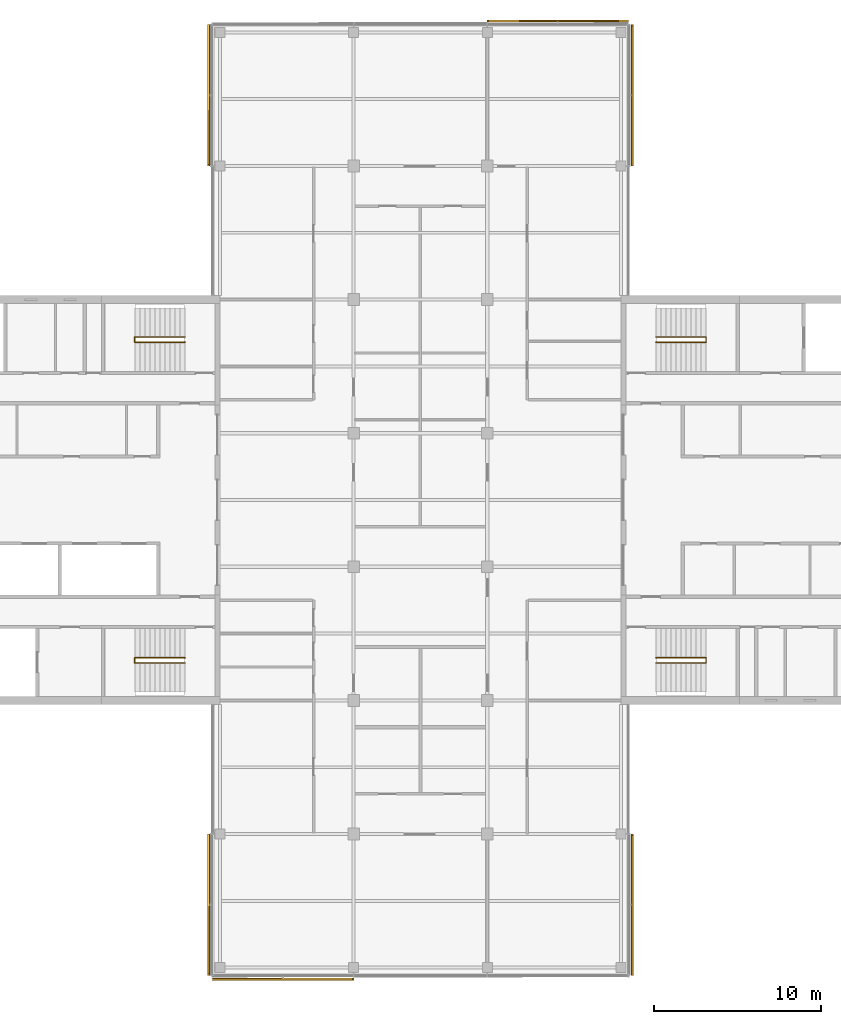
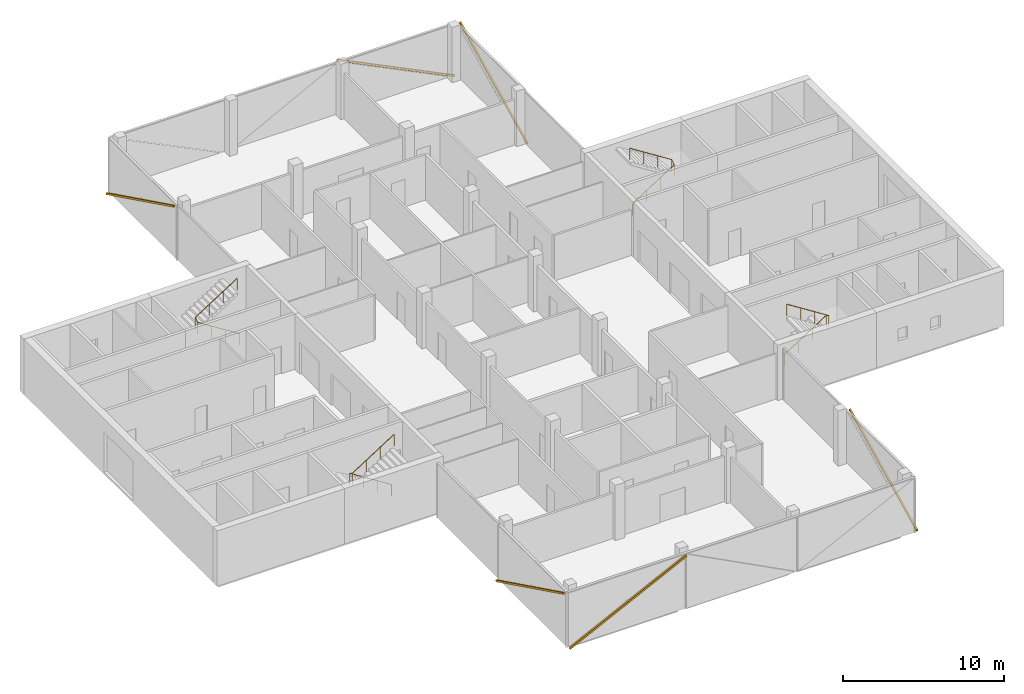
# One storey, part 16 of 16: 6 shading devices, 4 railings, 6 elements without a shape of their own.
"""IFC4 building model written with IfcOpenShell, lengths in metres."""

from ifc_helpers import new_model, si_unit, direction, frame, origin, origin_2d, place, context, subcontext, project, spatial, rectangle, circle, extrude, material, material_profile, profile_set, type_object, element, aggregate, save


model = new_model("IFC4")

# Units and contexts
model_context = context("Model", 3, precision=1e-05, world=origin(), true_north=direction((0.0, 1.0)))
body_context = subcontext(model_context, "Body", "Model", "MODEL_VIEW")
ifc_project = project(units=[si_unit("LENGTHUNIT", "METRE"), si_unit("AREAUNIT", "SQUARE_METRE"), si_unit("VOLUMEUNIT", "CUBIC_METRE"), si_unit("PLANEANGLEUNIT", "RADIAN"), si_unit("MASSUNIT", "GRAM", prefix="KILO")], contexts=[model_context])

# Site, building, storey
site_placement = place(None, origin())
site = spatial("IfcSite", under=ifc_project, at=site_placement, CompositionType="ELEMENT")
building_placement = place(site_placement, origin())
building = spatial("IfcBuilding", under=site, at=building_placement, Name="Crosswind Convention Tower", CompositionType="ELEMENT")
storey_placement = place(building_placement, frame((0.0, 0.0, 270.300048828125)))
storey = spatial("IfcBuildingStorey", under=building, at=storey_placement, Name="L58", CompositionType="ELEMENT", Elevation=270.300048828125)

# Railings
ifc_material_1 = material(Name="Stainless steel", Category="steel")
railing_type = type_object("IfcRailingType", Name="Stair handrail 900", PredefinedType="HANDRAIL", material=ifc_material_1)
railing_1_placement = place(storey_placement, frame((139.10009765625, 109.43994140625, 0.19091796875)))
element("IfcRailing", 1, at=railing_1_placement, inside=storey, type_object=railing_type, Name="Stair ST1 handrail L58", PredefinedType="HANDRAIL", context=body_context, shape_type="SweptSolid", body=[
    extrude(circle(Radius=0.02392578125, at=origin_2d()), frame((0.0, 0.0, 0.8759765625), z_axis=(0.843681277094, 0.0, 0.536844393359), x_axis=(0.0, 1.0, 0.0)), (0.0, 0.0, 1.0), 3.555908203125),
    extrude(circle(Radius=0.02392578125, at=origin_2d()), frame((3.0, 0.0, 2.78466796875), z_axis=(0.0, 0.858819504967, 0.512278301208), x_axis=(-1.0, 0.0, 0.0)), (0.0, 0.0, 1.0), 0.372802734375),
    extrude(circle(Radius=0.02392578125, at=origin_2d()), frame((3.0, 0.320068359375, 2.9755859375), z_axis=(-0.843650179428, 0.0, 0.536893261973), x_axis=(0.0, -1.0, 0.0)), (0.0, 0.0, 1.0), 3.555908203125),
    extrude(circle(Radius=0.02099609375, at=origin_2d()), origin(), (0.0, 0.0, 1.0), 0.851806640625),
    extrude(circle(Radius=0.02099609375, at=origin_2d()), frame((1.0, 0.0, 0.63623046875)), (0.0, 0.0, 1.0), 0.851806640625),
    extrude(circle(Radius=0.02099609375, at=origin_2d()), frame((2.0, 0.0, 1.272705078125)), (0.0, 0.0, 1.0), 0.851806640625),
    extrude(circle(Radius=0.02099609375, at=origin_2d()), frame((3.0, 0.0, 1.908935546875)), (0.0, 0.0, 1.0), 0.851806640625),
    extrude(circle(Radius=0.02099609375, at=origin_2d()), frame((3.0, 0.320068359375, 2.099853515625)), (0.0, 0.0, 1.0), 0.851806640625),
    extrude(circle(Radius=0.02099609375, at=origin_2d()), frame((2.0, 0.320068359375, 2.736328125)), (0.0, 0.0, 1.0), 0.851806640625),
    extrude(circle(Radius=0.02099609375, at=origin_2d()), frame((1.0, 0.320068359375, 3.37255859375)), (0.0, 0.0, 1.0), 0.851806640625),
    extrude(circle(Radius=0.02099609375, at=origin_2d()), frame((0.0, 0.320068359375, 4.009033203125)), (0.0, 0.0, 1.0), 0.851806640625),
])
railing_2_placement = place(storey_placement, frame((139.10009765625, 90.56005859375, 0.19091796875)))
element("IfcRailing", 2, at=railing_2_placement, inside=storey, type_object=railing_type, Name="Stair ST2 handrail L58", PredefinedType="HANDRAIL", context=body_context, shape_type="SweptSolid", body=[
    extrude(circle(Radius=0.02392578125, at=origin_2d()), frame((0.0, 0.0, 0.8759765625), z_axis=(0.843681277094, 0.0, 0.536844393359), x_axis=(0.0, 1.0, 0.0)), (0.0, 0.0, 1.0), 3.555908203125),
    extrude(circle(Radius=0.02392578125, at=origin_2d()), frame((3.0, 0.0, 2.78466796875), z_axis=(0.0, -0.858819504967, 0.512278301208), x_axis=(1.0, 0.0, 0.0)), (0.0, 0.0, 1.0), 0.372802734375),
    extrude(circle(Radius=0.02392578125, at=origin_2d()), frame((3.0, -0.320068359375, 2.9755859375), z_axis=(-0.843650179428, 0.0, 0.536893261973), x_axis=(0.0, -1.0, 0.0)), (0.0, 0.0, 1.0), 3.555908203125),
    extrude(circle(Radius=0.02099609375, at=origin_2d()), origin(), (0.0, 0.0, 1.0), 0.851806640625),
    extrude(circle(Radius=0.02099609375, at=origin_2d()), frame((1.0, 0.0, 0.63623046875)), (0.0, 0.0, 1.0), 0.851806640625),
    extrude(circle(Radius=0.02099609375, at=origin_2d()), frame((2.0, 0.0, 1.272705078125)), (0.0, 0.0, 1.0), 0.851806640625),
    extrude(circle(Radius=0.02099609375, at=origin_2d()), frame((3.0, 0.0, 1.908935546875)), (0.0, 0.0, 1.0), 0.851806640625),
    extrude(circle(Radius=0.02099609375, at=origin_2d()), frame((3.0, -0.320068359375, 2.099853515625)), (0.0, 0.0, 1.0), 0.851806640625),
    extrude(circle(Radius=0.02099609375, at=origin_2d()), frame((2.0, -0.320068359375, 2.736328125)), (0.0, 0.0, 1.0), 0.851806640625),
    extrude(circle(Radius=0.02099609375, at=origin_2d()), frame((1.0, -0.320068359375, 3.37255859375)), (0.0, 0.0, 1.0), 0.851806640625),
    extrude(circle(Radius=0.02099609375, at=origin_2d()), frame((0.0, -0.320068359375, 4.009033203125)), (0.0, 0.0, 1.0), 0.851806640625),
])
railing_3_placement = place(storey_placement, frame((110.89990234375, 90.56005859375, 0.19091796875)))
element("IfcRailing", 3, at=railing_3_placement, inside=storey, type_object=railing_type, Name="Stair ST3 handrail L58", PredefinedType="HANDRAIL", context=body_context, shape_type="SweptSolid", body=[
    extrude(circle(Radius=0.02392578125, at=origin_2d()), frame((0.0, 0.0, 0.8759765625), z_axis=(-0.843681277094, 0.0, 0.536844393359), x_axis=(0.0, -1.0, 0.0)), (0.0, 0.0, 1.0), 3.555908203125),
    extrude(circle(Radius=0.02392578125, at=origin_2d()), frame((-3.0, 0.0, 2.78466796875), z_axis=(0.0, -0.858819504967, 0.512278301208), x_axis=(1.0, 0.0, 0.0)), (0.0, 0.0, 1.0), 0.372802734375),
    extrude(circle(Radius=0.02392578125, at=origin_2d()), frame((-3.0, -0.320068359375, 2.9755859375), z_axis=(0.843650179428, 0.0, 0.536893261973), x_axis=(0.0, 1.0, 0.0)), (0.0, 0.0, 1.0), 3.555908203125),
    extrude(circle(Radius=0.02099609375, at=origin_2d()), origin(), (0.0, 0.0, 1.0), 0.851806640625),
    extrude(circle(Radius=0.02099609375, at=origin_2d()), frame((-1.0, 0.0, 0.63623046875)), (0.0, 0.0, 1.0), 0.851806640625),
    extrude(circle(Radius=0.02099609375, at=origin_2d()), frame((-2.0, 0.0, 1.272705078125)), (0.0, 0.0, 1.0), 0.851806640625),
    extrude(circle(Radius=0.02099609375, at=origin_2d()), frame((-3.0, 0.0, 1.908935546875)), (0.0, 0.0, 1.0), 0.851806640625),
    extrude(circle(Radius=0.02099609375, at=origin_2d()), frame((-3.0, -0.320068359375, 2.099853515625)), (0.0, 0.0, 1.0), 0.851806640625),
    extrude(circle(Radius=0.02099609375, at=origin_2d()), frame((-2.0, -0.320068359375, 2.736328125)), (0.0, 0.0, 1.0), 0.851806640625),
    extrude(circle(Radius=0.02099609375, at=origin_2d()), frame((-1.0, -0.320068359375, 3.37255859375)), (0.0, 0.0, 1.0), 0.851806640625),
    extrude(circle(Radius=0.02099609375, at=origin_2d()), frame((0.0, -0.320068359375, 4.009033203125)), (0.0, 0.0, 1.0), 0.851806640625),
])
railing_4_placement = place(storey_placement, frame((110.89990234375, 109.43994140625, 0.19091796875)))
element("IfcRailing", 4, at=railing_4_placement, inside=storey, type_object=railing_type, Name="Stair ST4 handrail L58", PredefinedType="HANDRAIL", context=body_context, shape_type="SweptSolid", body=[
    extrude(circle(Radius=0.02392578125, at=origin_2d()), frame((0.0, 0.0, 0.8759765625), z_axis=(-0.843681277094, 0.0, 0.536844393359), x_axis=(0.0, -1.0, 0.0)), (0.0, 0.0, 1.0), 3.555908203125),
    extrude(circle(Radius=0.02392578125, at=origin_2d()), frame((-3.0, 0.0, 2.78466796875), z_axis=(0.0, 0.858819504967, 0.512278301208), x_axis=(-1.0, 0.0, 0.0)), (0.0, 0.0, 1.0), 0.372802734375),
    extrude(circle(Radius=0.02392578125, at=origin_2d()), frame((-3.0, 0.320068359375, 2.9755859375), z_axis=(0.843650179428, 0.0, 0.536893261973), x_axis=(0.0, 1.0, 0.0)), (0.0, 0.0, 1.0), 3.555908203125),
    extrude(circle(Radius=0.02099609375, at=origin_2d()), origin(), (0.0, 0.0, 1.0), 0.851806640625),
    extrude(circle(Radius=0.02099609375, at=origin_2d()), frame((-1.0, 0.0, 0.63623046875)), (0.0, 0.0, 1.0), 0.851806640625),
    extrude(circle(Radius=0.02099609375, at=origin_2d()), frame((-2.0, 0.0, 1.272705078125)), (0.0, 0.0, 1.0), 0.851806640625),
    extrude(circle(Radius=0.02099609375, at=origin_2d()), frame((-3.0, 0.0, 1.908935546875)), (0.0, 0.0, 1.0), 0.851806640625),
    extrude(circle(Radius=0.02099609375, at=origin_2d()), frame((-3.0, 0.320068359375, 2.099853515625)), (0.0, 0.0, 1.0), 0.851806640625),
    extrude(circle(Radius=0.02099609375, at=origin_2d()), frame((-2.0, 0.320068359375, 2.736328125)), (0.0, 0.0, 1.0), 0.851806640625),
    extrude(circle(Radius=0.02099609375, at=origin_2d()), frame((-1.0, 0.320068359375, 3.37255859375)), (0.0, 0.0, 1.0), 0.851806640625),
    extrude(circle(Radius=0.02099609375, at=origin_2d()), frame((0.0, 0.320068359375, 4.009033203125)), (0.0, 0.0, 1.0), 0.851806640625),
])

# Curtain wall, shading device
ifc_material_2 = material(Name="Aluminium unitised curtain wall", Category="aluminium")
curtain_wall_type = type_object("IfcCurtainWallType", Name="OFFICE UNITISED WALL 220", PredefinedType="USERDEFINED", material=ifc_material_2)
curtain_wall_1_placement = place(storey_placement, origin())
curtain_wall_1 = element("IfcCurtainWall", 5, at=curtain_wall_1_placement, inside=storey, type_object=curtain_wall_type, Name="CW3 L58 N-E 1", ObjectType="UNITISED", PredefinedType="USERDEFINED")
ifc_material_3 = material(Name="Extruded terracotta", Category="masonry")
ifc_material_profile = material_profile(ifc_material_3, rectangle(XDim=0.110107421875, YDim=0.1298828125, at=origin_2d()), Name="TC 110X130")
ifc_profile_set = profile_set([ifc_material_profile], Name="Extruded terracotta")
shading_device_type = type_object("IfcShadingDeviceType", Name="TERRACOTTA BAGUETTE 130X110", PredefinedType="USERDEFINED", material=ifc_profile_set)
shading_device_1_placement = place(storey_placement, frame((137.680908203125, 120.034912109375, -0.300048828125), z_axis=(0.0, 0.897198049762, 0.441628417907), x_axis=(-1.0, 0.0, 0.0)))
shading_device_1 = element("IfcShadingDevice", 6, at=shading_device_1_placement, type_object=shading_device_type, Name="CW3 terracotta baguette 1", ObjectType="BAGUETTE", PredefinedType="USERDEFINED", context=body_context, shape_type="SweptSolid", body=[
    extrude(rectangle(XDim=0.110107421875, YDim=0.1298828125, at=origin_2d()), origin(), (0.0, 0.0, 1.0), 9.3515625),
])
aggregate(curtain_wall_1, [shading_device_1])

curtain_wall_2_placement = place(storey_placement, origin())
curtain_wall_2 = element("IfcCurtainWall", 7, at=curtain_wall_2_placement, inside=storey, type_object=curtain_wall_type, Name="CW3 L58 N-TIP 1", ObjectType="UNITISED", PredefinedType="USERDEFINED")
shading_device_2_placement = place(storey_placement, frame((137.425048828125, 128.680908203125, -0.300048828125), z_axis=(-0.897198049762, 0.0, 0.441628417907), x_axis=(0.0, -1.0, 0.0)))
shading_device_2 = element("IfcShadingDevice", 8, at=shading_device_2_placement, type_object=shading_device_type, Name="CW3 terracotta baguette 1", ObjectType="BAGUETTE", PredefinedType="USERDEFINED", context=body_context, shape_type="SweptSolid", body=[
    extrude(rectangle(XDim=0.110107421875, YDim=0.1298828125, at=origin_2d()), origin(), (0.0, 0.0, 1.0), 9.3515625),
])
aggregate(curtain_wall_2, [shading_device_2])

curtain_wall_3_placement = place(storey_placement, origin())
curtain_wall_3 = element("IfcCurtainWall", 9, at=curtain_wall_3_placement, inside=storey, type_object=curtain_wall_type, Name="CW3 L58 N-W 1", ObjectType="UNITISED", PredefinedType="USERDEFINED")
shading_device_3_placement = place(storey_placement, frame((112.319091796875, 128.425048828125, -0.300048828125), z_axis=(0.0, -0.897198049762, 0.441628417907), x_axis=(1.0, 0.0, 0.0)))
shading_device_3 = element("IfcShadingDevice", 10, at=shading_device_3_placement, type_object=shading_device_type, Name="CW3 terracotta baguette 1", ObjectType="BAGUETTE", PredefinedType="USERDEFINED", context=body_context, shape_type="SweptSolid", body=[
    extrude(rectangle(XDim=0.110107421875, YDim=0.1298828125, at=origin_2d()), origin(), (0.0, 0.0, 1.0), 9.3515625),
])
aggregate(curtain_wall_3, [shading_device_3])

curtain_wall_4_placement = place(storey_placement, origin())
curtain_wall_4 = element("IfcCurtainWall", 11, at=curtain_wall_4_placement, inside=storey, type_object=curtain_wall_type, Name="CW3 L58 S-W 1", ObjectType="UNITISED", PredefinedType="USERDEFINED")
shading_device_4_placement = place(storey_placement, frame((112.319091796875, 79.965087890625, -0.300048828125), z_axis=(0.0, -0.897198049762, 0.441628417907), x_axis=(1.0, 0.0, 0.0)))
shading_device_4 = element("IfcShadingDevice", 12, at=shading_device_4_placement, type_object=shading_device_type, Name="CW3 terracotta baguette 1", ObjectType="BAGUETTE", PredefinedType="USERDEFINED", context=body_context, shape_type="SweptSolid", body=[
    extrude(rectangle(XDim=0.110107421875, YDim=0.1298828125, at=origin_2d()), origin(), (0.0, 0.0, 1.0), 9.3515625),
])
aggregate(curtain_wall_4, [shading_device_4])

curtain_wall_5_placement = place(storey_placement, origin())
curtain_wall_5 = element("IfcCurtainWall", 13, at=curtain_wall_5_placement, inside=storey, type_object=curtain_wall_type, Name="CW3 L58 S-TIP 1", ObjectType="UNITISED", PredefinedType="USERDEFINED")
shading_device_5_placement = place(storey_placement, frame((112.574951171875, 71.319091796875, -0.300048828125), z_axis=(0.897198049762, 0.0, 0.441628417907), x_axis=(0.0, 1.0, 0.0)))
shading_device_5 = element("IfcShadingDevice", 14, at=shading_device_5_placement, type_object=shading_device_type, Name="CW3 terracotta baguette 1", ObjectType="BAGUETTE", PredefinedType="USERDEFINED", context=body_context, shape_type="SweptSolid", body=[
    extrude(rectangle(XDim=0.110107421875, YDim=0.1298828125, at=origin_2d()), origin(), (0.0, 0.0, 1.0), 9.3515625),
])
aggregate(curtain_wall_5, [shading_device_5])

curtain_wall_6_placement = place(storey_placement, origin())
curtain_wall_6 = element("IfcCurtainWall", 15, at=curtain_wall_6_placement, inside=storey, type_object=curtain_wall_type, Name="CW3 L58 S-E 1", ObjectType="UNITISED", PredefinedType="USERDEFINED")
shading_device_6_placement = place(storey_placement, frame((137.680908203125, 71.574951171875, -0.300048828125), z_axis=(0.0, 0.897198049762, 0.441628417907), x_axis=(-1.0, 0.0, 0.0)))
shading_device_6 = element("IfcShadingDevice", 16, at=shading_device_6_placement, type_object=shading_device_type, Name="CW3 terracotta baguette 1", ObjectType="BAGUETTE", PredefinedType="USERDEFINED", context=body_context, shape_type="SweptSolid", body=[
    extrude(rectangle(XDim=0.110107421875, YDim=0.1298828125, at=origin_2d()), origin(), (0.0, 0.0, 1.0), 9.3515625),
])
aggregate(curtain_wall_6, [shading_device_6])

save(model, "model.ifc")
